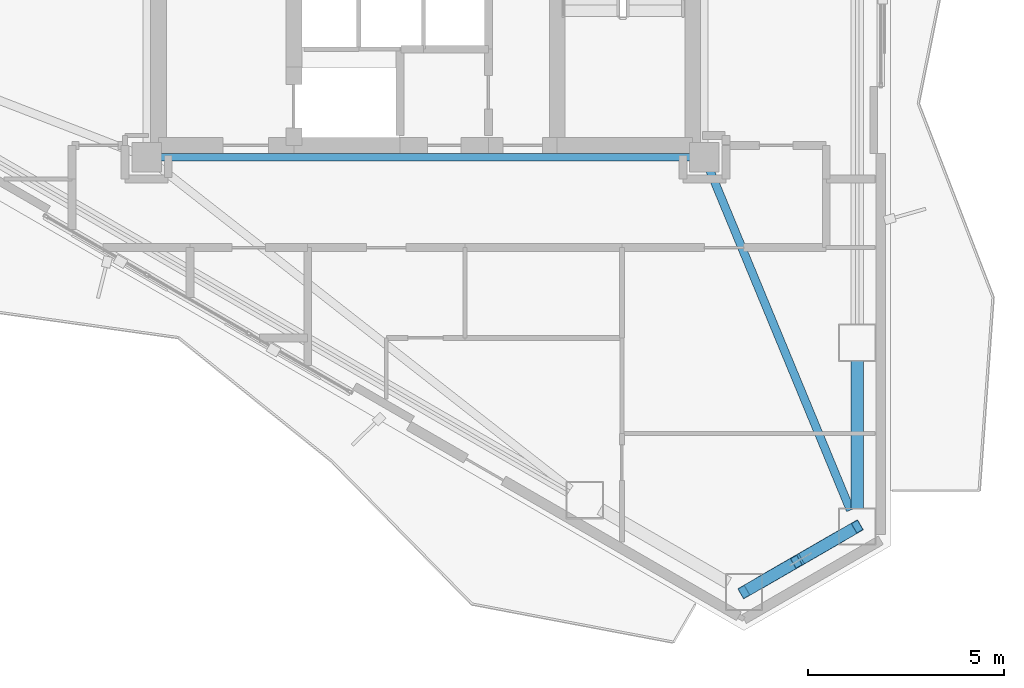
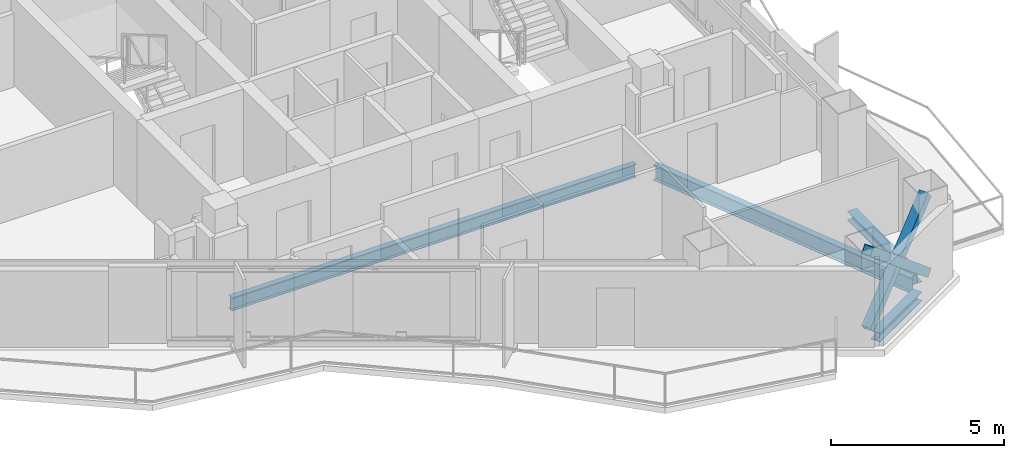
# One storey, part 5 of 21: 4 beams, 3 members.
"""IFC4 building model written with IfcOpenShell, lengths in metres."""

from ifc_helpers import new_model, si_unit, direction, frame, origin, origin_2d, place, context, subcontext, project, spatial, hollow_rectangle, i_section, extrude, material, material_profile, profile_set, type_object, element, save


model = new_model("IFC4")

# Units and contexts
model_context = context("Model", 3, precision=1e-05, world=origin(), true_north=direction((0.0, 1.0)))
body_context = subcontext(model_context, "Body", "Model", "MODEL_VIEW")
ifc_project = project(units=[si_unit("LENGTHUNIT", "METRE"), si_unit("AREAUNIT", "SQUARE_METRE"), si_unit("VOLUMEUNIT", "CUBIC_METRE"), si_unit("PLANEANGLEUNIT", "RADIAN"), si_unit("MASSUNIT", "GRAM", prefix="KILO")], contexts=[model_context])

# Site, building, storey
site_placement = place(None, origin())
site = spatial("IfcSite", under=ifc_project, at=site_placement, CompositionType="ELEMENT")
building_placement = place(site_placement, origin())
building = spatial("IfcBuilding", under=site, at=building_placement, Name="Mersakhor Tower and Convention Hall", CompositionType="ELEMENT")
storey_placement = place(building_placement, frame((0.0, 0.0, 182.10009765625)))
storey = spatial("IfcBuildingStorey", under=building, at=storey_placement, Name="L50", CompositionType="ELEMENT", Elevation=182.10009765625)

# Beams
ifc_material_1 = material(Name="Steel S355", Category="steel")
ifc_material_profile_1 = material_profile(ifc_material_1, i_section(OverallWidth=0.19140625, OverallDepth=0.4599609375, WebThickness=0.010009765625, FlangeThickness=0.01611328125, at=origin_2d()), Name="UB 457x191x82")
ifc_profile_set_1 = profile_set([ifc_material_profile_1], Name="Steel S355")
beam_type_1 = type_object("IfcBeamType", Name="BM-FB-457", PredefinedType="BEAM", material=ifc_profile_set_1)
beam_1_placement = place(storey_placement, frame((35.7451171875, 20.449951171875, -0.460205078125), z_axis=(-1.0, 0.0, 0.0), x_axis=(0.0, -1.0, 0.0)))
element("IfcBeam", 1, at=beam_1_placement, inside=storey, type_object=beam_type_1, Name="L50 Core Ring Tie Beam CRB-4", PredefinedType="BEAM", context=body_context, shape_type="SweptSolid", body=[
    extrude(i_section(OverallWidth=0.19140625, OverallDepth=0.4599609375, WebThickness=0.010009765625, FlangeThickness=0.01611328125, at=origin_2d()), origin(), (0.0, 0.0, 1.0), 13.490234375),
])
ifc_material_2 = material(Name="Steel S355", Category="steel")
ifc_material_profile_2 = material_profile(ifc_material_2, i_section(OverallWidth=0.2099609375, OverallDepth=0.53662109375, WebThickness=0.0107421875, FlangeThickness=0.017333984375, at=origin_2d()), Name="UB 533x210x101")
ifc_profile_set_2 = profile_set([ifc_material_profile_2], Name="Steel S355")
beam_type_2 = type_object("IfcBeamType", Name="BM-FB-533", PredefinedType="BEAM", material=ifc_profile_set_2)
beam_2_placement = place(storey_placement, frame((36.235595703125, 20.121826171875, -0.498291015625), z_axis=(0.382185218717, -0.924085742015, 0.0), x_axis=(0.924085742015, 0.382185218717, 0.0)))
element("IfcBeam", 2, at=beam_2_placement, inside=storey, type_object=beam_type_2, Name="L50 Primary Floor Girder FG-4", PredefinedType="BEAM", context=body_context, shape_type="SweptSolid", body=[
    extrude(i_section(OverallWidth=0.2099609375, OverallDepth=0.53662109375, WebThickness=0.0107421875, FlangeThickness=0.017333984375, at=origin_2d()), origin(), (0.0, 0.0, 1.0), 9.3642578125),
])
ifc_material_3 = material(Name="Steel S355", Category="steel")
ifc_material_profile_3 = material_profile(ifc_material_3, i_section(OverallWidth=0.30908203125, OverallDepth=0.320556640625, WebThickness=0.013916015625, FlangeThickness=0.021728515625, at=origin_2d()), Name="UC 305x305x137")
ifc_profile_set_3 = profile_set([ifc_material_profile_3], Name="Steel S355")
beam_type_3 = type_object("IfcBeamType", Name="BM-SPD-UC305", PredefinedType="SPANDREL", material=ifc_profile_set_3)
beam_3_placement = place(storey_placement, frame((39.98828125, 15.272216796875, -0.390380859375), z_axis=(0.0, -1.0, 0.0), x_axis=(1.0, 0.0, 0.0)))
element("IfcBeam", 3, at=beam_3_placement, inside=storey, type_object=beam_type_3, Name="L50 Perimeter Spandrel Beam SPB-07", PredefinedType="SPANDREL", context=body_context, shape_type="SweptSolid", body=[
    extrude(i_section(OverallWidth=0.30908203125, OverallDepth=0.320556640625, WebThickness=0.013916015625, FlangeThickness=0.021728515625, at=origin_2d()), origin(), (0.0, 0.0, 1.0), 3.769287109375),
])
beam_4_placement = place(storey_placement, frame((39.594482421875, 10.820556640625, -0.390380859375), z_axis=(-0.86605626798, -0.499946537834, 0.0), x_axis=(0.499946537834, -0.86605626798, 0.0)))
element("IfcBeam", 4, at=beam_4_placement, inside=storey, type_object=beam_type_3, Name="L50 Perimeter Spandrel Beam SPB-08", PredefinedType="SPANDREL", context=body_context, shape_type="SweptSolid", body=[
    extrude(i_section(OverallWidth=0.30908203125, OverallDepth=0.320556640625, WebThickness=0.013916015625, FlangeThickness=0.021728515625, at=origin_2d()), origin(), (0.0, 0.0, 1.0), 2.420654296875),
])

# Members
ifc_material_4 = material(Name="Steel S355", Category="steel")
ifc_material_profile_4 = material_profile(ifc_material_4, hollow_rectangle(XDim=0.300048828125, YDim=0.300048828125, WallThickness=0.01611328125, at=origin_2d()), Name="SHS 300x300x16")
ifc_profile_set_4 = profile_set([ifc_material_profile_4], Name="Steel S355")
member_type = type_object("IfcMemberType", Name="MB-BRC-SHS300", PredefinedType="BRACE", material=ifc_profile_set_4)
member_1_placement = place(storey_placement, frame((39.98828125, 11.048095703125, 0.14990234375), z_axis=(-0.665824923443, -0.384424564314, 0.639448923429), x_axis=(0.50001011158, -0.866019565782, 0.0)))
element("IfcMember", 5, at=member_1_placement, inside=storey, type_object=member_type, Name="L50 Chamfer Braced Frame Diagonal CB-2A", PredefinedType="BRACE", context=body_context, shape_type="SweptSolid", body=[
    extrude(hollow_rectangle(XDim=0.300048828125, YDim=0.300048828125, WallThickness=0.01611328125, at=origin_2d()), origin(), (0.0, 0.0, 1.0), 4.331787109375),
])
member_2_placement = place(storey_placement, frame((37.10400390625, 9.3828125, 0.14990234375), z_axis=(0.665831077073, 0.384475140135, 0.639412107659), x_axis=(-0.50005597947, 0.86599308161, 0.0)))
element("IfcMember", 6, at=member_2_placement, inside=storey, type_object=member_type, Name="L50 Chamfer Braced Frame Diagonal CB-2B Lower Half", PredefinedType="BRACE", context=body_context, shape_type="SweptSolid", body=[
    extrude(hollow_rectangle(XDim=0.300048828125, YDim=0.300048828125, WallThickness=0.01611328125, at=origin_2d()), origin(), (0.0, 0.0, 1.0), 2.00537109375),
])
member_3_placement = place(storey_placement, frame((38.6533203125, 10.277099609375, 1.6376953125), z_axis=(0.665763296387, 0.384506307606, 0.639463941592), x_axis=(-0.500124558158, 0.865953478154, 0.0)))
element("IfcMember", 7, at=member_3_placement, inside=storey, type_object=member_type, Name="L50 Chamfer Braced Frame Diagonal CB-2B Upper Half", PredefinedType="BRACE", context=body_context, shape_type="SweptSolid", body=[
    extrude(hollow_rectangle(XDim=0.300048828125, YDim=0.300048828125, WallThickness=0.01611328125, at=origin_2d()), origin(), (0.0, 0.0, 1.0), 2.005126953125),
])

save(model, "model.ifc")
